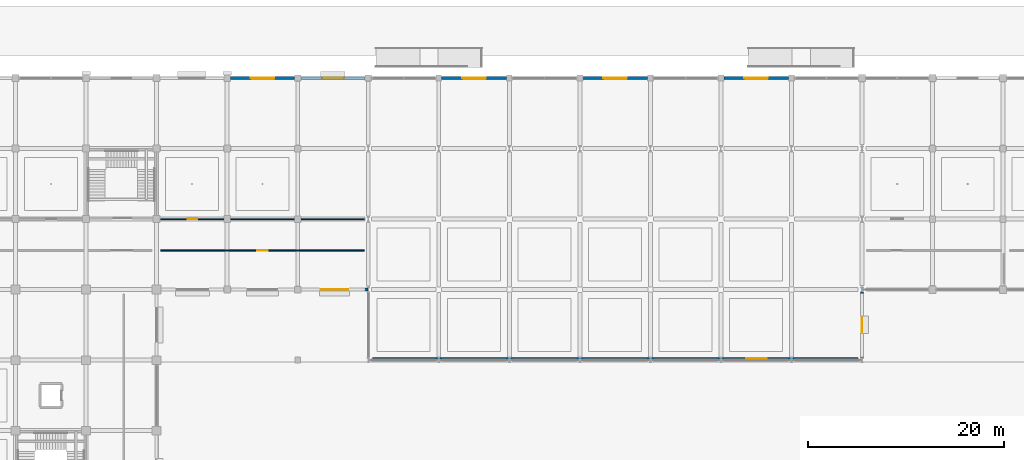
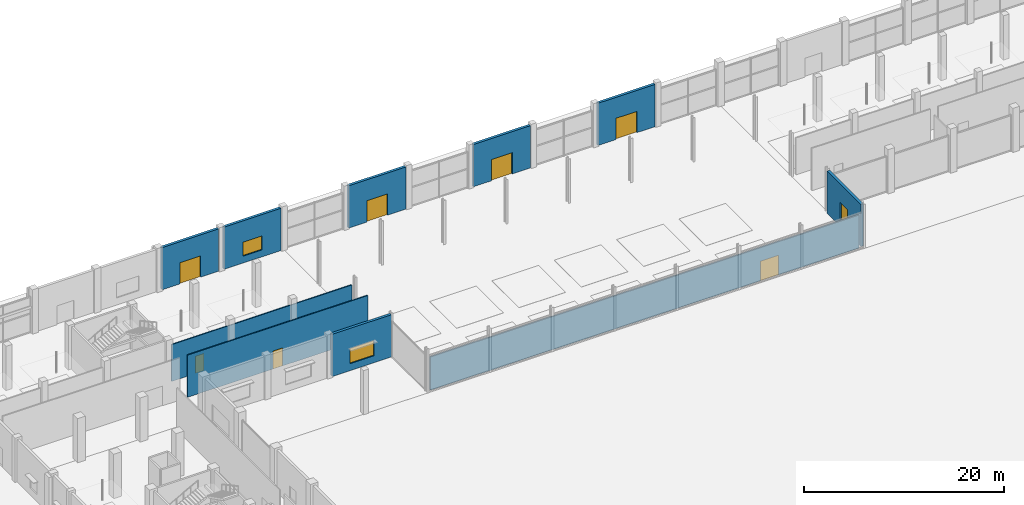
# One storey, part 62 of 90: 10 walls, 7 doors, 3 windows, 10 openings.
"""IFC4 building model written with IfcOpenShell, lengths in metres."""

from ifc_helpers import new_model, si_unit, direction, frame, frame_2d, origin, place, context, subcontext, project, spatial, rectangle, extrude, material, layer, layer_set, type_object, element, fill, save


model = new_model("IFC4")

# Units and contexts
model_context = context("Model", 3, precision=1e-05, world=origin(), true_north=direction((0.0, 1.0)))
body_context = subcontext(model_context, "Body", "Model", "MODEL_VIEW")
ifc_project = project(units=[si_unit("LENGTHUNIT", "METRE"), si_unit("AREAUNIT", "SQUARE_METRE"), si_unit("VOLUMEUNIT", "CUBIC_METRE"), si_unit("PLANEANGLEUNIT", "RADIAN"), si_unit("MASSUNIT", "GRAM", prefix="KILO")], contexts=[model_context])

# Site, building, storey
site_placement = place(None, origin())
site = spatial("IfcSite", under=ifc_project, at=site_placement, CompositionType="ELEMENT")
building_placement = place(site_placement, origin())
building = spatial("IfcBuilding", under=site, at=building_placement, Name="Kangsadwip Square Police Headquarters", CompositionType="ELEMENT")
storey_placement = place(building_placement, origin())
storey = spatial("IfcBuildingStorey", under=building, at=storey_placement, Name="L00", CompositionType="ELEMENT", Elevation=0.0)

# Wall, opening, door
ifc_material_1 = material(Name="Fire-rated double gypsum board acoustic stud partition", Category="masonry")
ifc_layer_1 = layer(ifc_material_1, 0.1201171875)
ifc_layer_set_1 = layer_set([ifc_layer_1], Name="Fire-rated double gypsum board acoustic stud partition")
wall_type_1 = type_object("IfcWallType", Name="AcousticPartition120", PredefinedType="PARTITIONING", material=ifc_layer_set_1)
wall_1_placement = place(storey_placement, frame((22.0, 100.800048828125, 0.0), z_axis=(0.0, 0.0, 1.0), x_axis=(1.0, 0.0, 0.0)))
wall_1 = element("IfcWall", 1, at=wall_1_placement, inside=storey, type_object=wall_type_1, Name="Interior Wall WI-L00-0683", PredefinedType="PARTITIONING", context=body_context, shape_type="SweptSolid", body=[
    extrude(rectangle(XDim=20.800048828125, YDim=0.1201171875, at=frame_2d((10.39990234375, 0.0))), origin(), (0.0, 0.0, 1.0), 4.5),
])
opening_1_placement = place(wall_1_placement, frame((2.756103515625, 0.0, 0.0)))
opening_1 = element("IfcOpeningElement", 2, at=opening_1_placement, cuts=wall_1, Name="Opening ID-10B", PredefinedType="OPENING", context=body_context, shape_type="SweptSolid", body=[
    extrude(rectangle(XDim=1.0, YDim=2.10009765625, at=frame_2d((0.5, 1.050048828125))), frame((0.0, 0.070068359375, 0.0), z_axis=(0.0, -1.0, 0.0), x_axis=(1.0, 0.0, 0.0)), (0.0, 0.0, 1.0), 0.14013671875),
])
ifc_material_2 = material(Name="Solid-core seasoned teak hardwood architectural door", Category="wood")
door_type_1 = type_object("IfcDoorType", Name="OfficeDoor1000x2100", OperationType="NOTDEFINED", PredefinedType="DOOR", material=ifc_material_2)
door_1_placement = place(opening_1_placement, origin())
door_1 = element("IfcDoor", 3, at=door_1_placement, inside=storey, type_object=door_type_1, Name="Interior Door ID-L00-0134", OperationType="SINGLE_SWING_RIGHT", OverallHeight=2.10009765625, OverallWidth=1.0, PredefinedType="DOOR", context=body_context, shape_type="SweptSolid", body=[
    extrude(rectangle(XDim=1.0, YDim=2.10009765625, at=frame_2d((0.5, 1.050048828125))), frame((0.0, 0.02490234375, 0.0), z_axis=(0.0, -1.0, 0.0), x_axis=(1.0, 0.0, 0.0)), (0.0, 0.0, 1.0), 0.050048828125),
])
fill(opening_1, door_1)

wall_2_placement = place(storey_placement, frame((22.0, 97.60009765625, 0.0), z_axis=(0.0, 0.0, 1.0), x_axis=(1.0, 0.0, 0.0)))
wall_2 = element("IfcWall", 4, at=wall_2_placement, inside=storey, type_object=wall_type_1, Name="Interior Wall WI-L00-0685", PredefinedType="PARTITIONING", context=body_context, shape_type="SweptSolid", body=[
    extrude(rectangle(XDim=20.800048828125, YDim=0.1201171875, at=frame_2d((10.39990234375, 0.0))), origin(), (0.0, 0.0, 1.0), 5.159912109375),
])
opening_2_placement = place(wall_2_placement, frame((9.85009765625, 0.0, 0.0)))
opening_2 = element("IfcOpeningElement", 5, at=opening_2_placement, cuts=wall_2, Name="Opening FD-11A", PredefinedType="OPENING", context=body_context, shape_type="SweptSolid", body=[
    extrude(rectangle(XDim=1.10009765625, YDim=2.199951171875, at=frame_2d((0.550048828125, 1.10009765625))), frame((0.0, 0.070068359375, 0.0), z_axis=(0.0, -1.0, 0.0), x_axis=(1.0, 0.0, 0.0)), (0.0, 0.0, 1.0), 0.14013671875),
])
ifc_material_3 = material(Name="Insulated galvanized steel fire-rated door assembly", Category="steel")
door_type_2 = type_object("IfcDoorType", Name="LabSingleDoor1100x2200", OperationType="NOTDEFINED", PredefinedType="DOOR", material=ifc_material_3)
door_2_placement = place(opening_2_placement, origin())
door_2 = element("IfcDoor", 6, at=door_2_placement, inside=storey, type_object=door_type_2, Name="Interior Door ID-L00-0136", OperationType="SINGLE_SWING_LEFT", OverallHeight=2.199951171875, OverallWidth=1.10009765625, PredefinedType="DOOR", context=body_context, shape_type="SweptSolid", body=[
    extrude(rectangle(XDim=1.10009765625, YDim=2.199951171875, at=frame_2d((0.550048828125, 1.10009765625))), frame((0.0, 0.02490234375, 0.0), z_axis=(0.0, -1.0, 0.0), x_axis=(1.0, 0.0, 0.0)), (0.0, 0.0, 1.0), 0.050048828125),
])
fill(opening_2, door_2)

ifc_material_4 = material(Name="Autoclaved aerated concrete blockwork masonry", Category="masonry")
ifc_layer_2 = layer(ifc_material_4, 0.14990234375)
ifc_layer_set_2 = layer_set([ifc_layer_2], Name="Autoclaved aerated concrete blockwork masonry")
wall_type_2 = type_object("IfcWallType", Name="BlockPartition150", PredefinedType="PARTITIONING", material=ifc_layer_set_2)
wall_3_placement = place(storey_placement, frame((43.64990234375, 86.550048828125, 0.0), z_axis=(0.0, 0.0, 1.0), x_axis=(1.0, 0.0, 0.0)))
wall_3 = element("IfcWall", 7, at=wall_3_placement, inside=storey, type_object=wall_type_2, Name="Interior Wall WI-L00-0681", PredefinedType="PARTITIONING", context=body_context, shape_type="SweptSolid", body=[
    extrude(rectangle(XDim=49.5, YDim=0.14990234375, at=frame_2d((24.75, 0.0))), origin(), (0.0, 0.0, 1.0), 4.050048828125),
])
opening_3_placement = place(wall_3_placement, frame((38.12109375, 0.0, 0.0)))
opening_3 = element("IfcOpeningElement", 8, at=opening_3_placement, cuts=wall_3, Name="Opening ID-21", PredefinedType="OPENING", context=body_context, shape_type="SweptSolid", body=[
    extrude(rectangle(XDim=2.10009765625, YDim=2.39990234375, at=frame_2d((1.050048828125, 1.199951171875))), frame((0.0, 0.0849609375, 0.0), z_axis=(0.0, -1.0, 0.0), x_axis=(1.0, 0.0, 0.0)), (0.0, 0.0, 1.0), 0.169921875),
])
ifc_material_5 = material(Name="Solid-core seasoned teak hardwood architectural door", Category="wood")
door_type_3 = type_object("IfcDoorType", Name="HallDoubleDoor2100x2400", OperationType="DOUBLE_DOOR_SINGLE_SWING", PredefinedType="DOOR", material=ifc_material_5)
door_3_placement = place(opening_3_placement, origin())
door_3 = element("IfcDoor", 9, at=door_3_placement, inside=storey, type_object=door_type_3, Name="Interior Door ID-L00-0132", OperationType="DOUBLE_DOOR_SINGLE_SWING", OverallHeight=2.39990234375, OverallWidth=2.10009765625, PredefinedType="DOOR", context=body_context, shape_type="SweptSolid", body=[
    extrude(rectangle(XDim=2.10009765625, YDim=2.39990234375, at=frame_2d((1.050048828125, 1.199951171875))), frame((0.0, 0.02490234375, 0.0), z_axis=(0.0, -1.0, 0.0), x_axis=(1.0, 0.0, 0.0)), (0.0, 0.0, 1.0), 0.050048828125),
])
fill(opening_3, door_3)

# Wall, opening, window
ifc_material_6 = material(Name="Glazed architectural terracotta masonry rainscreen", Category="masonry")
ifc_layer_3 = layer(ifc_material_6, 0.300048828125)
ifc_layer_set_3 = layer_set([ifc_layer_3], Name="Glazed architectural terracotta masonry rainscreen")
wall_type_3 = type_object("IfcWallType", Name="PlinthArcadeWall300", PredefinedType="SOLIDWALL", material=ifc_layer_set_3)
wall_4_placement = place(storey_placement, frame((36.320068359375, 93.60009765625, 0.0), z_axis=(0.0, 0.0, 1.0), x_axis=(1.0, 0.0, 0.0)))
wall_4 = element("IfcWall", 10, at=wall_4_placement, inside=storey, type_object=wall_type_3, Name="Exterior Wall WE-L00-150", PredefinedType="SOLIDWALL", context=body_context, shape_type="SweptSolid", body=[
    extrude(rectangle(XDim=6.869873046875, YDim=0.300048828125, at=frame_2d((3.43505859375, 0.0))), origin(), (0.0, 0.0, 1.0), 5.159912109375),
])
opening_4_placement = place(wall_4_placement, frame((2.034912109375, 0.0, 0.85009765625)))
opening_4 = element("IfcOpeningElement", 11, at=opening_4_placement, cuts=wall_4, Name="Opening WN-05", PredefinedType="OPENING", context=body_context, shape_type="SweptSolid", body=[
    extrude(rectangle(XDim=2.800048828125, YDim=1.85009765625, at=frame_2d((1.39990234375, 0.925048828125))), frame((0.0, 0.159912109375, 0.0), z_axis=(0.0, -1.0, 0.0), x_axis=(1.0, 0.0, 0.0)), (0.0, 0.0, 1.0), 0.320068359375),
])
ifc_material_7 = material(Name="Double-glazed solar-control low-E safety glass", Category="glass")
window_type_1 = type_object("IfcWindowType", Name="ChicagoDoubleMullWin2800x1850", PartitioningType="DOUBLE_PANEL_VERTICAL", PredefinedType="WINDOW", material=ifc_material_7)
window_1_placement = place(opening_4_placement, origin())
window_1 = element("IfcWindow", 12, at=window_1_placement, inside=storey, type_object=window_type_1, Name="Window WN-L00-0018", OverallHeight=1.85009765625, OverallWidth=2.800048828125, PartitioningType="SINGLE_PANEL", PredefinedType="WINDOW", context=body_context, shape_type="SweptSolid", body=[
    extrude(rectangle(XDim=2.800048828125, YDim=1.85009765625, at=frame_2d((1.39990234375, 0.925048828125))), frame((0.0, 0.030029296875, 0.0), z_axis=(0.0, -1.0, 0.0), x_axis=(1.0, 0.0, 0.0)), (0.0, 0.0, 1.0), 0.06005859375),
])
fill(opening_4, window_1)

# Wall, opening, door
wall_5_placement = place(storey_placement, frame((29.14501953125, 115.199951171875, 0.0), z_axis=(0.0, 0.0, 1.0), x_axis=(1.0, 0.0, 0.0)))
wall_5 = element("IfcWall", 13, at=wall_5_placement, inside=storey, type_object=wall_type_3, Name="Exterior Wall WE-L00-154", PredefinedType="SOLIDWALL", context=body_context, shape_type="SweptSolid", body=[
    extrude(rectangle(XDim=6.534912109375, YDim=0.300048828125, at=frame_2d((3.267578125, 0.0))), origin(), (0.0, 0.0, 1.0), 5.159912109375),
])
opening_5_placement = place(wall_5_placement, frame((2.0673828125, 0.0, 0.0)))
opening_5 = element("IfcOpeningElement", 14, at=opening_5_placement, cuts=wall_5, Name="Opening ED-09", PredefinedType="OPENING", context=body_context, shape_type="SweptSolid", body=[
    extrude(rectangle(XDim=2.39990234375, YDim=2.60009765625, at=frame_2d((1.199951171875, 1.300048828125))), frame((0.0, 0.159912109375, 0.0), z_axis=(0.0, -1.0, 0.0), x_axis=(1.0, 0.0, 0.0)), (0.0, 0.0, 1.0), 0.320068359375),
])
ifc_material_8 = material(Name="Galvanized hollow-metal architectural steel door assembly", Category="steel")
door_type_4 = type_object("IfcDoorType", Name="CivicEntranceDoubleDoor2400x2600", OperationType="DOUBLE_DOOR_SINGLE_SWING", PredefinedType="DOOR", material=ifc_material_8)
door_4_placement = place(opening_5_placement, origin())
door_4 = element("IfcDoor", 15, at=door_4_placement, inside=storey, type_object=door_type_4, Name="Exterior Door ED-09", OperationType="DOUBLE_DOOR_SINGLE_SWING", OverallHeight=2.60009765625, OverallWidth=2.39990234375, PredefinedType="DOOR", context=body_context, shape_type="SweptSolid", body=[
    extrude(rectangle(XDim=2.39990234375, YDim=2.60009765625, at=frame_2d((1.199951171875, 1.300048828125))), frame((0.0, 0.02490234375, 0.0), z_axis=(0.0, -1.0, 0.0), x_axis=(1.0, 0.0, 0.0)), (0.0, 0.0, 1.0), 0.050048828125),
])
fill(opening_5, door_4)

# Wall, opening, window
wall_6_placement = place(storey_placement, frame((36.320068359375, 115.199951171875, 0.0), z_axis=(0.0, 0.0, 1.0), x_axis=(1.0, 0.0, 0.0)))
wall_6 = element("IfcWall", 16, at=wall_6_placement, inside=storey, type_object=wall_type_3, Name="Exterior Wall WE-L00-155", PredefinedType="SOLIDWALL", context=body_context, shape_type="SweptSolid", body=[
    extrude(rectangle(XDim=6.559814453125, YDim=0.300048828125, at=frame_2d((3.27978515625, 0.0))), origin(), (0.0, 0.0, 1.0), 5.159912109375),
])
opening_6_placement = place(wall_6_placement, frame((2.179931640625, 0.0, 0.85009765625)))
opening_6 = element("IfcOpeningElement", 17, at=opening_6_placement, cuts=wall_6, Name="Opening WN-08", PredefinedType="OPENING", context=body_context, shape_type="SweptSolid", body=[
    extrude(rectangle(XDim=2.199951171875, YDim=1.699951171875, at=frame_2d((1.10009765625, 0.85009765625))), frame((0.0, 0.159912109375, 0.0), z_axis=(0.0, -1.0, 0.0), x_axis=(1.0, 0.0, 0.0)), (0.0, 0.0, 1.0), 0.320068359375),
])
ifc_material_9 = material(Name="Double-glazed solar-control low-E safety glass", Category="glass")
window_type_2 = type_object("IfcWindowType", Name="ChicagoDoubleMullWin2200x1700", PartitioningType="DOUBLE_PANEL_VERTICAL", PredefinedType="WINDOW", material=ifc_material_9)
window_2_placement = place(opening_6_placement, origin())
window_2 = element("IfcWindow", 18, at=window_2_placement, inside=storey, type_object=window_type_2, Name="Window WN-L00-0021", OverallHeight=1.699951171875, OverallWidth=2.199951171875, PartitioningType="SINGLE_PANEL", PredefinedType="WINDOW", context=body_context, shape_type="SweptSolid", body=[
    extrude(rectangle(XDim=2.199951171875, YDim=1.699951171875, at=frame_2d((1.10009765625, 0.85009765625))), frame((0.0, 0.030029296875, 0.0), z_axis=(0.0, -1.0, 0.0), x_axis=(1.0, 0.0, 0.0)), (0.0, 0.0, 1.0), 0.06005859375),
])
fill(opening_6, window_2)

# Wall, opening, door
wall_7_placement = place(storey_placement, frame((50.695068359375, 115.199951171875, 0.0), z_axis=(0.0, 0.0, 1.0), x_axis=(1.0, 0.0, 0.0)))
wall_7 = element("IfcWall", 19, at=wall_7_placement, inside=storey, type_object=wall_type_3, Name="Exterior Wall WE-L00-156", PredefinedType="SOLIDWALL", context=body_context, shape_type="SweptSolid", body=[
    extrude(rectangle(XDim=6.60986328125, YDim=0.300048828125, at=frame_2d((3.304931640625, 0.0))), origin(), (0.0, 0.0, 1.0), 5.159912109375),
])
opening_7_placement = place(wall_7_placement, frame((2.10498046875, 0.0, 0.0)))
opening_7 = element("IfcOpeningElement", 20, at=opening_7_placement, cuts=wall_7, Name="Opening ED-10", PredefinedType="OPENING", context=body_context, shape_type="SweptSolid", body=[
    extrude(rectangle(XDim=2.39990234375, YDim=2.60009765625, at=frame_2d((1.199951171875, 1.300048828125))), frame((0.0, 0.159912109375, 0.0), z_axis=(0.0, -1.0, 0.0), x_axis=(1.0, 0.0, 0.0)), (0.0, 0.0, 1.0), 0.320068359375),
])
door_5_placement = place(opening_7_placement, origin())
door_5 = element("IfcDoor", 21, at=door_5_placement, inside=storey, type_object=door_type_4, Name="Exterior Door ED-10", OperationType="DOUBLE_DOOR_SINGLE_SWING", OverallHeight=2.60009765625, OverallWidth=2.39990234375, PredefinedType="DOOR", context=body_context, shape_type="SweptSolid", body=[
    extrude(rectangle(XDim=2.39990234375, YDim=2.60009765625, at=frame_2d((1.199951171875, 1.300048828125))), frame((0.0, 0.02490234375, 0.0), z_axis=(0.0, -1.0, 0.0), x_axis=(1.0, 0.0, 0.0)), (0.0, 0.0, 1.0), 0.050048828125),
])
fill(opening_7, door_5)

wall_8_placement = place(storey_placement, frame((65.094970703125, 115.199951171875, 0.0), z_axis=(0.0, 0.0, 1.0), x_axis=(1.0, 0.0, 0.0)))
wall_8 = element("IfcWall", 22, at=wall_8_placement, inside=storey, type_object=wall_type_3, Name="Exterior Wall WE-L00-157", PredefinedType="SOLIDWALL", context=body_context, shape_type="SweptSolid", body=[
    extrude(rectangle(XDim=6.610107421875, YDim=0.300048828125, at=frame_2d((3.30517578125, 0.0))), origin(), (0.0, 0.0, 1.0), 5.159912109375),
])
opening_8_placement = place(wall_8_placement, frame((2.10498046875, 0.0, 0.0)))
opening_8 = element("IfcOpeningElement", 23, at=opening_8_placement, cuts=wall_8, Name="Opening ED-15", PredefinedType="OPENING", context=body_context, shape_type="SweptSolid", body=[
    extrude(rectangle(XDim=2.39990234375, YDim=2.60009765625, at=frame_2d((1.199951171875, 1.300048828125))), frame((0.0, 0.159912109375, 0.0), z_axis=(0.0, -1.0, 0.0), x_axis=(1.0, 0.0, 0.0)), (0.0, 0.0, 1.0), 0.320068359375),
])
door_6_placement = place(opening_8_placement, origin())
door_6 = element("IfcDoor", 24, at=door_6_placement, inside=storey, type_object=door_type_4, Name="Exterior Door ED-15", OperationType="DOUBLE_DOOR_SINGLE_SWING", OverallHeight=2.60009765625, OverallWidth=2.39990234375, PredefinedType="DOOR", context=body_context, shape_type="SweptSolid", body=[
    extrude(rectangle(XDim=2.39990234375, YDim=2.60009765625, at=frame_2d((1.199951171875, 1.300048828125))), frame((0.0, 0.02490234375, 0.0), z_axis=(0.0, -1.0, 0.0), x_axis=(1.0, 0.0, 0.0)), (0.0, 0.0, 1.0), 0.050048828125),
])
fill(opening_8, door_6)

wall_9_placement = place(storey_placement, frame((79.4951171875, 115.199951171875, 0.0), z_axis=(0.0, 0.0, 1.0), x_axis=(1.0, 0.0, 0.0)))
wall_9 = element("IfcWall", 25, at=wall_9_placement, inside=storey, type_object=wall_type_3, Name="Exterior Wall WE-L00-158", PredefinedType="SOLIDWALL", context=body_context, shape_type="SweptSolid", body=[
    extrude(rectangle(XDim=6.60986328125, YDim=0.300048828125, at=frame_2d((3.304931640625, 0.0))), origin(), (0.0, 0.0, 1.0), 5.159912109375),
])
opening_9_placement = place(wall_9_placement, frame((2.10498046875, 0.0, 0.0)))
opening_9 = element("IfcOpeningElement", 26, at=opening_9_placement, cuts=wall_9, Name="Opening ED-11", PredefinedType="OPENING", context=body_context, shape_type="SweptSolid", body=[
    extrude(rectangle(XDim=2.39990234375, YDim=2.60009765625, at=frame_2d((1.199951171875, 1.300048828125))), frame((0.0, 0.159912109375, 0.0), z_axis=(0.0, -1.0, 0.0), x_axis=(1.0, 0.0, 0.0)), (0.0, 0.0, 1.0), 0.320068359375),
])
door_7_placement = place(opening_9_placement, origin())
door_7 = element("IfcDoor", 27, at=door_7_placement, inside=storey, type_object=door_type_4, Name="Exterior Door ED-11", OperationType="DOUBLE_DOOR_SINGLE_SWING", OverallHeight=2.60009765625, OverallWidth=2.39990234375, PredefinedType="DOOR", context=body_context, shape_type="SweptSolid", body=[
    extrude(rectangle(XDim=2.39990234375, YDim=2.60009765625, at=frame_2d((1.199951171875, 1.300048828125))), frame((0.0, 0.02490234375, 0.0), z_axis=(0.0, -1.0, 0.0), x_axis=(1.0, 0.0, 0.0)), (0.0, 0.0, 1.0), 0.050048828125),
])
fill(opening_9, door_7)

# Wall, opening, window
wall_10_placement = place(storey_placement, frame((93.60009765625, 86.6279296875, 0.0), z_axis=(0.0, 0.0, 1.0), x_axis=(0.0, 1.0, 0.0)))
wall_10 = element("IfcWall", 28, at=wall_10_placement, inside=storey, type_object=wall_type_3, Name="Exterior Wall WE-L00-192", PredefinedType="SOLIDWALL", context=body_context, shape_type="SweptSolid", body=[
    extrude(rectangle(XDim=6.744140625, YDim=0.300048828125, at=frame_2d((3.3720703125, 0.0))), origin(), (0.0, 0.0, 1.0), 5.159912109375),
])
opening_10_placement = place(wall_10_placement, frame((2.6220703125, 0.0, 0.85009765625)))
opening_10 = element("IfcOpeningElement", 29, at=opening_10_placement, cuts=wall_10, Name="Opening WN-12", PredefinedType="OPENING", context=body_context, shape_type="SweptSolid", body=[
    extrude(rectangle(XDim=1.5, YDim=2.050048828125, at=frame_2d((0.75, 1.02490234375))), frame((0.0, 0.159912109375, 0.0), z_axis=(0.0, -1.0, 0.0), x_axis=(1.0, 0.0, 0.0)), (0.0, 0.0, 1.0), 0.320068359375),
])
ifc_material_10 = material(Name="Double-glazed solar-control low-E safety glass", Category="glass")
window_type_3 = type_object("IfcWindowType", Name="DirectorateTallWin1500x2050", PartitioningType="SINGLE_PANEL", PredefinedType="WINDOW", material=ifc_material_10)
window_3_placement = place(opening_10_placement, origin())
window_3 = element("IfcWindow", 30, at=window_3_placement, inside=storey, type_object=window_type_3, Name="Window WN-L00-0048", OverallHeight=2.050048828125, OverallWidth=1.5, PartitioningType="SINGLE_PANEL", PredefinedType="WINDOW", context=body_context, shape_type="SweptSolid", body=[
    extrude(rectangle(XDim=1.5, YDim=2.050048828125, at=frame_2d((0.75, 1.02490234375))), frame((0.0, 0.030029296875, 0.0), z_axis=(0.0, -1.0, 0.0), x_axis=(1.0, 0.0, 0.0)), (0.0, 0.0, 1.0), 0.06005859375),
])
fill(opening_10, window_3)

save(model, "model.ifc")
